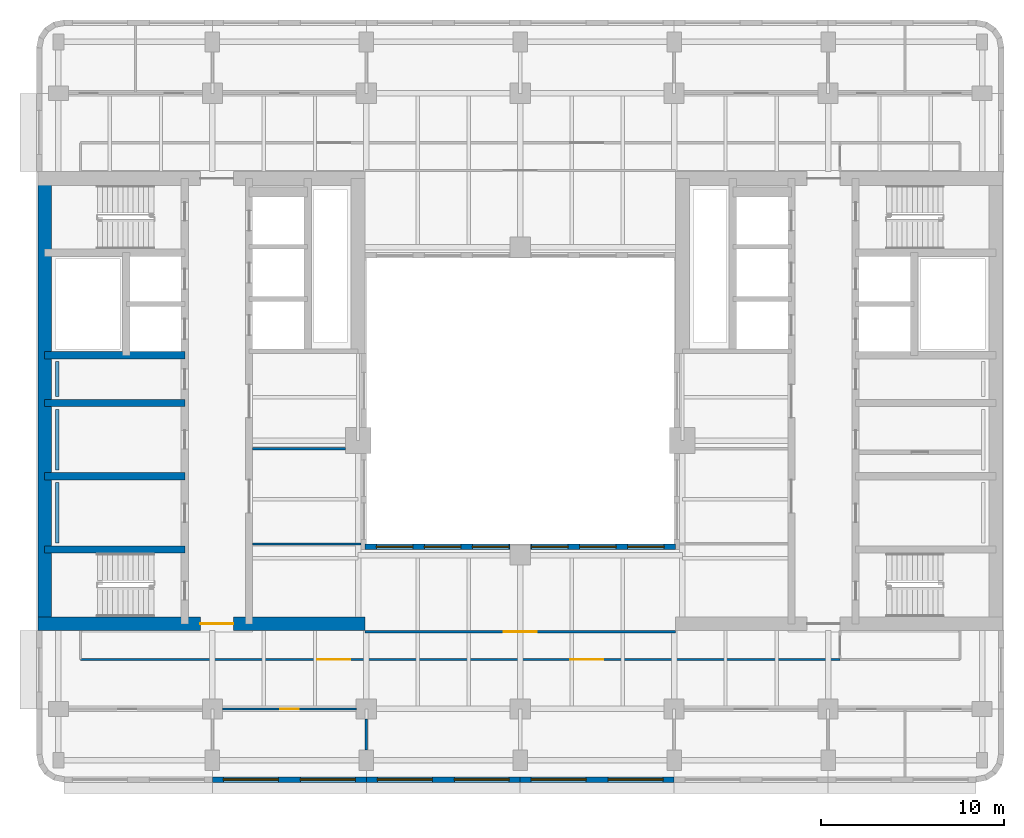
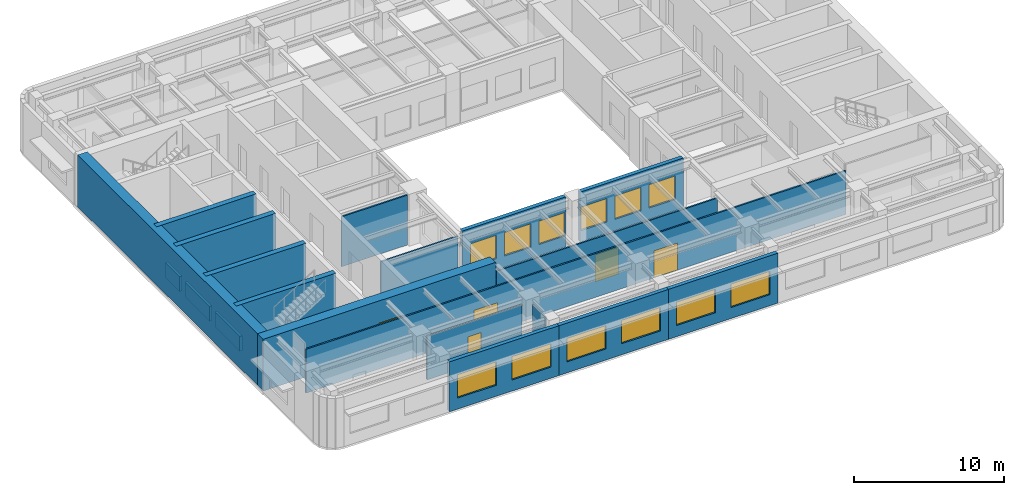
# One storey, part 3 of 11: 20 walls, 12 windows, 5 doors, 17 openings.
"""IFC4 building model written with IfcOpenShell, lengths in metres."""

import ifcopenshell
import ifcopenshell.guid

model = None  # the IFC model being written
_history = None  # IfcOwnerHistory: only IFC2X3 demands one
_inside = {}  # id of a spatial element -> (the spatial element, [elements in it])
_under = {}  # id of a project, library or spatial element -> (it, [spatial elements below it])
_declared = {}  # id of a project -> (the project, [libraries it declares])
_typed = {}  # id of a type object -> (the type object, [elements of that type])
_made_of = {}  # id of a material, layer set ... -> (it, [elements and type objects made of it])


def new_model(schema):
    """Start an empty IFC model of exactly this schema.

    Asked for "IFC4X3", IfcOpenShell would pick the latest addendum, in which some entities
    have other attributes; the version numbers below select the first issue.
    IFC2X3 requires an IfcOwnerHistory on every rooted entity: one is made here for all.
    """
    global model, _history
    if schema == "IFC4X3":
        model = ifcopenshell.file(schema_version=(4, 3, 0, 0))
    else:
        model = ifcopenshell.file(schema=schema)
    _inside.clear()
    _under.clear()
    _declared.clear()
    _typed.clear()
    _made_of.clear()
    _history = None
    if model.schema == "IFC2X3":
        org = make("IfcOrganization", Name="unknown")
        user = make(
            "IfcPersonAndOrganization",
            ThePerson=make("IfcPerson", FamilyName="unknown"),
            TheOrganization=org,
        )
        app = make(
            "IfcApplication",
            ApplicationDeveloper=org,
            Version="unknown",
            ApplicationFullName="unknown",
            ApplicationIdentifier="unknown",
        )
        _history = make(
            "IfcOwnerHistory",
            OwningUser=user,
            OwningApplication=app,
            ChangeAction="ADDED",
            CreationDate=0,
        )
    return model


def make(cls, **values):
    """One entity of the class cls with the attributes given. An attribute that is None is left unset."""
    return model.create_entity(
        cls, **{name: value for name, value in values.items() if value is not None}
    )


def rooted(cls, **values):
    """An entity with a GlobalId (a new one), such as an element, a storey or a relation."""
    return make(cls, GlobalId=ifcopenshell.guid.new(), OwnerHistory=_history, **values)


def si_unit(unit_type, name, prefix=None):
    """IfcSIUnit, for example si_unit("LENGTHUNIT", "METRE", prefix="MILLI")."""
    return make("IfcSIUnit", UnitType=unit_type, Prefix=prefix, Name=name)


def assignment(units):
    """IfcUnitAssignment: the units of a project."""
    return None if units is None else make("IfcUnitAssignment", Units=units)


def point(xyz):
    """IfcCartesianPoint."""
    return None if xyz is None else make("IfcCartesianPoint", Coordinates=xyz)


def direction(xyz):
    """IfcDirection."""
    return None if xyz is None else make("IfcDirection", DirectionRatios=xyz)


def frame(location, z_axis=None, x_axis=None):
    """IfcAxis2Placement3D, a coordinate frame: its origin and axes. An axis left out is left unset."""
    return make(
        "IfcAxis2Placement3D",
        Location=point(location),
        Axis=direction(z_axis),
        RefDirection=direction(x_axis),
    )


def frame_2d(location, x_axis=None):
    """IfcAxis2Placement2D, a coordinate frame in the plane: its origin and x axis."""
    return make(
        "IfcAxis2Placement2D", Location=point(location), RefDirection=direction(x_axis)
    )


def origin():
    """The frame at (0, 0, 0) with its axes left unset."""
    return frame((0.0, 0.0, 0.0))


def place(relative_to, where):
    """IfcLocalPlacement: puts the frame where relative to a parent placement (None: the world)."""
    return make(
        "IfcLocalPlacement", PlacementRelTo=relative_to, RelativePlacement=where
    )


def context(
    kind, dimensions, precision=None, world=None, true_north=None, identifier=None
):
    """IfcGeometricRepresentationContext, for example the 3D "Model" context."""
    return make(
        "IfcGeometricRepresentationContext",
        ContextIdentifier=identifier,
        ContextType=kind,
        CoordinateSpaceDimension=dimensions,
        Precision=precision,
        WorldCoordinateSystem=world,
        TrueNorth=true_north,
    )


def subcontext(parent, identifier, kind, view, scale=None):
    """IfcGeometricRepresentationSubContext, for example "Body" below "Model"."""
    return make(
        "IfcGeometricRepresentationSubContext",
        ContextIdentifier=identifier,
        ContextType=kind,
        ParentContext=parent,
        TargetScale=scale,
        TargetView=view,
    )


def project(units=None, contexts=None):
    """IfcProject with its units and contexts."""
    return rooted(
        "IfcProject",
        Name="project",
        RepresentationContexts=contexts,
        UnitsInContext=assignment(units),
    )


def spatial(cls, under=None, at=None, **own):
    """A site, building, storey or space (cls), placed at a placement, below another one or the project."""
    s = rooted(cls, ObjectPlacement=at, **own)
    if under is not None:
        _under.setdefault(under.id(), (under, []))[1].append(s)
    return s


def profile(cls, at=None, kind="AREA", **sizes):
    """A parametric profile (cls). Its sizes go by their IFC names, for example OverallWidth=200.0."""
    return make(cls, ProfileType=kind, Position=at, **sizes)


def rectangle(**sizes):
    """IfcRectangleProfileDef."""
    return profile("IfcRectangleProfileDef", **sizes)


def extrude(swept, where, along, depth):
    """IfcExtrudedAreaSolid: the profile swept, set in the frame where, extruded along a direction by depth."""
    return make(
        "IfcExtrudedAreaSolid",
        SweptArea=swept,
        Position=where,
        ExtrudedDirection=direction(along),
        Depth=depth,
    )


def shape(context_of_items, identifier, shape_type, items):
    """IfcShapeRepresentation: the items that make up one representation, for example the "Body"."""
    return make(
        "IfcShapeRepresentation",
        ContextOfItems=context_of_items,
        RepresentationIdentifier=identifier,
        RepresentationType=shape_type,
        Items=items,
    )


def material(Name=None, Category=None):
    """IfcMaterial."""
    return make("IfcMaterial", Name=Name, Category=Category)


def layer(
    of_material, thickness, ventilated=None, Name=None, Category=None, Priority=None
):
    """IfcMaterialLayer: one layer of a wall or slab, of a material (None: an air gap)."""
    return make(
        "IfcMaterialLayer",
        Material=of_material,
        LayerThickness=thickness,
        IsVentilated=ventilated,
        Name=Name,
        Category=Category,
        Priority=Priority,
    )


def layer_set(layers, Name=None):
    """IfcMaterialLayerSet."""
    return make("IfcMaterialLayerSet", MaterialLayers=layers, LayerSetName=Name)


def made_of(thing, what):
    """Note that an element or type object is made of a material, layer set ...; save() writes the relation."""
    if what is not None:
        _made_of.setdefault(what.id(), (what, []))[1].append(thing)
    return thing


def type_object(cls, material=None, **own):
    """A type object (cls), such as IfcWallType, which elements share."""
    return made_of(rooted(cls, **own), material)


def element(
    cls,
    number,
    at=None,
    inside=None,
    cuts=None,
    type_object=None,
    material=None,
    context=None,
    identifier="Body",
    shape_type=None,
    held_by="IfcProductDefinitionShape",
    body=None,
    shapes=None,
    **own,
):
    """One element of the class cls, such as IfcWall. Its Tag is "e" and its number.

    at: its placement. inside: the storey or other place that contains it. cuts: it is an
    opening in that element (IfcRelVoidsElement). A single representation is given by context,
    identifier, shape_type and body (its items); several are given by shapes. held_by: the class
    of the entity that holds the representations. save() writes the other relations.
    """
    e = rooted(cls, Tag="e%d" % number, ObjectPlacement=at, **own)
    if body is not None:
        shapes = [shape(context, identifier, shape_type, body)]
    if shapes is not None:
        e.Representation = make(held_by, Representations=shapes)
    if inside is not None:
        _inside.setdefault(inside.id(), (inside, []))[1].append(e)
    if cuts is not None:
        rooted(
            "IfcRelVoidsElement", RelatingBuildingElement=cuts, RelatedOpeningElement=e
        )
    if type_object is not None:
        _typed.setdefault(type_object.id(), (type_object, []))[1].append(e)
    return made_of(e, material)


def fill(opening, filler):
    """IfcRelFillsElement: the door or window that sits in an opening."""
    return rooted(
        "IfcRelFillsElement",
        RelatingOpeningElement=opening,
        RelatedBuildingElement=filler,
    )


def aggregate(whole, parts):
    """IfcRelAggregates: a whole, such as a stair, and the parts it consists of."""
    return rooted("IfcRelAggregates", RelatingObject=whole, RelatedObjects=parts)


def save(model, path):
    """Write the relations noted so far, then the file.

    IfcRelAggregates (storeys below a building ...), IfcRelContainedInSpatialStructure (elements
    in a storey), IfcRelDefinesByType, IfcRelAssociatesMaterial and IfcRelDeclares: one each for
    every whole, place, type object, material and project.
    """
    for whole, parts in _under.values():
        aggregate(whole, parts)
    for where, things in _inside.values():
        rooted(
            "IfcRelContainedInSpatialStructure",
            RelatedElements=things,
            RelatingStructure=where,
        )
    for kind, things in _typed.values():
        rooted("IfcRelDefinesByType", RelatedObjects=things, RelatingType=kind)
    for what, things in _made_of.values():
        rooted("IfcRelAssociatesMaterial", RelatedObjects=things, RelatingMaterial=what)
    for by, libraries in _declared.values():
        rooted("IfcRelDeclares", RelatingContext=by, RelatedDefinitions=libraries)
    model.write(path)


model = new_model("IFC4")

# Units and contexts
model_context = context("Model", 3, precision=1e-05, world=origin(), true_north=direction((0.0, 1.0)))
body_context = subcontext(model_context, "Body", "Model", "MODEL_VIEW")
ifc_project = project(units=[si_unit("LENGTHUNIT", "METRE"), si_unit("AREAUNIT", "SQUARE_METRE"), si_unit("VOLUMEUNIT", "CUBIC_METRE"), si_unit("PLANEANGLEUNIT", "RADIAN"), si_unit("MASSUNIT", "GRAM", prefix="KILO")], contexts=[model_context])

# Site, building, storey
site_placement = place(None, origin())
site = spatial("IfcSite", under=ifc_project, at=site_placement, CompositionType="ELEMENT")
building_placement = place(site_placement, origin())
building = spatial("IfcBuilding", under=site, at=building_placement, Name="Claustro Exchange Tower", CompositionType="ELEMENT")
storey_placement = place(building_placement, frame((0.0, 0.0, 186.0)))
storey = spatial("IfcBuildingStorey", under=building, at=storey_placement, Name="L42", CompositionType="ELEMENT", Elevation=186.0)

# Walls
ifc_material_1 = material(Name="Laminated glass in aluminium frame", Category="aluminium")
ifc_layer_1 = layer(ifc_material_1, 0.1201171875)
ifc_layer_set_1 = layer_set([ifc_layer_1], Name="Laminated glass in aluminium frame")
wall_type_1 = type_object("IfcWallType", Name="P2 120 glazed partition", PredefinedType="PARTITIONING", material=ifc_layer_set_1)
wall_1_placement = place(storey_placement, frame((10.597900390625, 17.39990234375, 0.0), z_axis=(0.0, 0.0, 1.0), x_axis=(1.0, 0.0, 0.0)))
element("IfcWall", 1, at=wall_1_placement, inside=storey, type_object=wall_type_1, Name="Partition P2 L42", PredefinedType="PARTITIONING", context=body_context, shape_type="SweptSolid", body=[
    extrude(rectangle(XDim=5.904052734375, YDim=0.1201171875, at=frame_2d((2.9521484375, 0.0))), origin(), (0.0, 0.0, 1.0), 3.550048828125),
])
wall_2_placement = place(storey_placement, frame((10.597900390625, 22.60009765625, 0.0), z_axis=(0.0, 0.0, 1.0), x_axis=(1.0, 0.0, 0.0)))
element("IfcWall", 2, at=wall_2_placement, inside=storey, type_object=wall_type_1, Name="Partition P2 L42", PredefinedType="PARTITIONING", context=body_context, shape_type="SweptSolid", body=[
    extrude(rectangle(XDim=5.052978515625, YDim=0.1201171875, at=frame_2d((2.5263671875, 0.0))), origin(), (0.0, 0.0, 1.0), 4.050048828125),
])

# Wall, opening, door
wall_3_placement = place(storey_placement, frame((8.948974609375, 8.39990234375, 0.0), z_axis=(0.0, 0.0, 1.0), x_axis=(1.0, 0.0, 0.0)))
wall_3 = element("IfcWall", 3, at=wall_3_placement, inside=storey, type_object=wall_type_1, Name="Partition P2 L42", PredefinedType="PARTITIONING", context=body_context, shape_type="SweptSolid", body=[
    extrude(rectangle(XDim=7.302001953125, YDim=0.1201171875, at=frame_2d((3.65087890625, 0.0))), origin(), (0.0, 0.0, 1.0), 3.550048828125),
])
opening_1_placement = place(wall_3_placement, frame((3.15087890625, 0.0, 0.0)))
opening_1 = element("IfcOpeningElement", 4, at=opening_1_placement, cuts=wall_3, Name="Opening D7", PredefinedType="OPENING", context=body_context, shape_type="SweptSolid", body=[
    extrude(rectangle(XDim=1.0, YDim=2.39990234375, at=frame_2d((0.5, 1.199951171875))), frame((0.0, 0.070068359375, 0.0), z_axis=(0.0, -1.0, 0.0), x_axis=(1.0, 0.0, 0.0)), (0.0, 0.0, 1.0), 0.14013671875),
])
ifc_material_2 = material(Name="Glass door in aluminium frame", Category="aluminium")
door_type_1 = type_object("IfcDoorType", Name="D7 1000 x 2400 glazed door", OperationType="SINGLE_SWING_LEFT", PredefinedType="DOOR", material=ifc_material_2)
door_1_placement = place(opening_1_placement, frame((1.0, 0.0, 0.0), z_axis=(0.0, 0.0, 1.0), x_axis=(-1.0, 0.0, 0.0)))
door_1 = element("IfcDoor", 5, at=door_1_placement, inside=storey, type_object=door_type_1, Name="Door D7 L42", OperationType="SINGLE_SWING_RIGHT", OverallHeight=2.39990234375, OverallWidth=1.0, PredefinedType="DOOR", context=body_context, shape_type="SweptSolid", body=[
    extrude(rectangle(XDim=1.0, YDim=2.39990234375, at=frame_2d((0.5, 1.199951171875))), frame((0.0, 0.02490234375, 0.0), z_axis=(0.0, -1.0, 0.0), x_axis=(1.0, 0.0, 0.0)), (0.0, 0.0, 1.0), 0.050048828125),
])
fill(opening_1, door_1)

# Wall
wall_4_placement = place(storey_placement, frame((16.800048828125, 6.14892578125, 0.0), z_axis=(0.0, 0.0, 1.0), x_axis=(0.0, 1.0, 0.0)))
element("IfcWall", 6, at=wall_4_placement, inside=storey, type_object=wall_type_1, Name="Partition P2 L42", PredefinedType="PARTITIONING", context=body_context, shape_type="SweptSolid", body=[
    extrude(rectangle(XDim=1.7021484375, YDim=0.1201171875, at=frame_2d((0.85107421875, 0.0))), origin(), (0.0, 0.0, 1.0), 3.68994140625),
])

# Wall, openings, doors
wall_5_placement = place(storey_placement, frame((1.199951171875, 11.10009765625, 0.0), z_axis=(0.0, 0.0, 1.0), x_axis=(1.0, 0.0, 0.0)))
wall_5 = element("IfcWall", 7, at=wall_5_placement, inside=storey, type_object=wall_type_1, Name="Partition P2 L42", PredefinedType="PARTITIONING", context=body_context, shape_type="SweptSolid", body=[
    extrude(rectangle(XDim=41.4521484375, YDim=0.1201171875, at=frame_2d((20.72607421875, 0.0))), origin(), (0.0, 0.0, 1.0), 3.550048828125),
])
opening_2_placement = place(wall_5_placement, frame((12.916748046875, 0.0, 0.0)))
opening_2 = element("IfcOpeningElement", 8, at=opening_2_placement, cuts=wall_5, Name="Opening D2", PredefinedType="OPENING", context=body_context, shape_type="SweptSolid", body=[
    extrude(rectangle(XDim=1.800048828125, YDim=2.199951171875, at=frame_2d((0.89990234375, 1.10009765625))), frame((0.0, 0.070068359375, 0.0), z_axis=(0.0, -1.0, 0.0), x_axis=(1.0, 0.0, 0.0)), (0.0, 0.0, 1.0), 0.14013671875),
])
opening_3_placement = place(wall_5_placement, frame((26.7333984375, 0.0, 0.0)))
opening_3 = element("IfcOpeningElement", 9, at=opening_3_placement, cuts=wall_5, Name="Opening D2", PredefinedType="OPENING", context=body_context, shape_type="SweptSolid", body=[
    extrude(rectangle(XDim=1.800048828125, YDim=2.199951171875, at=frame_2d((0.89990234375, 1.10009765625))), frame((0.0, 0.070068359375, 0.0), z_axis=(0.0, -1.0, 0.0), x_axis=(1.0, 0.0, 0.0)), (0.0, 0.0, 1.0), 0.14013671875),
])
ifc_material_3 = material(Name="Timber door, oak veneer", Category="wood")
door_type_2 = type_object("IfcDoorType", Name="D2 1800 x 2200 double door", OperationType="DOUBLE_DOOR_SINGLE_SWING", PredefinedType="DOOR", material=ifc_material_3)
door_2_placement = place(opening_2_placement, frame((1.800048828125, 0.0, 0.0), z_axis=(0.0, 0.0, 1.0), x_axis=(-1.0, 0.0, 0.0)))
door_2 = element("IfcDoor", 10, at=door_2_placement, inside=storey, type_object=door_type_2, Name="Double door D2 L42", OperationType="DOUBLE_DOOR_SINGLE_SWING", OverallHeight=2.199951171875, OverallWidth=1.800048828125, PredefinedType="DOOR", context=body_context, shape_type="SweptSolid", body=[
    extrude(rectangle(XDim=1.800048828125, YDim=2.199951171875, at=frame_2d((0.89990234375, 1.10009765625))), frame((0.0, 0.02490234375, 0.0), z_axis=(0.0, -1.0, 0.0), x_axis=(1.0, 0.0, 0.0)), (0.0, 0.0, 1.0), 0.050048828125),
])
fill(opening_2, door_2)
door_3_placement = place(opening_3_placement, frame((1.800048828125, 0.0, 0.0), z_axis=(0.0, 0.0, 1.0), x_axis=(-1.0, 0.0, 0.0)))
door_3 = element("IfcDoor", 11, at=door_3_placement, inside=storey, type_object=door_type_2, Name="Double door D2 L42", OperationType="DOUBLE_DOOR_SINGLE_SWING", OverallHeight=2.199951171875, OverallWidth=1.800048828125, PredefinedType="DOOR", context=body_context, shape_type="SweptSolid", body=[
    extrude(rectangle(XDim=1.800048828125, YDim=2.199951171875, at=frame_2d((0.89990234375, 1.10009765625))), frame((0.0, 0.02490234375, 0.0), z_axis=(0.0, -1.0, 0.0), x_axis=(1.0, 0.0, 0.0)), (0.0, 0.0, 1.0), 0.050048828125),
])
fill(opening_3, door_3)

# Wall, opening, door
wall_6_placement = place(storey_placement, frame((16.72509765625, 12.614990234375, 0.0), z_axis=(0.0, 0.0, 1.0), x_axis=(1.0, 0.0, 0.0)))
wall_6 = element("IfcWall", 12, at=wall_6_placement, inside=storey, type_object=wall_type_1, Name="Partition P2 L42", PredefinedType="PARTITIONING", context=body_context, shape_type="SweptSolid", body=[
    extrude(rectangle(XDim=16.949951171875, YDim=0.1201171875, at=frame_2d((8.47509765625, 0.0))), origin(), (0.0, 0.0, 1.0), 3.550048828125),
])
opening_4_placement = place(wall_6_placement, frame((7.574951171875, 0.0, 0.0)))
opening_4 = element("IfcOpeningElement", 13, at=opening_4_placement, cuts=wall_6, Name="Opening D2", PredefinedType="OPENING", context=body_context, shape_type="SweptSolid", body=[
    extrude(rectangle(XDim=1.800048828125, YDim=2.199951171875, at=frame_2d((0.89990234375, 1.10009765625))), frame((0.0, 0.070068359375, 0.0), z_axis=(0.0, -1.0, 0.0), x_axis=(1.0, 0.0, 0.0)), (0.0, 0.0, 1.0), 0.14013671875),
])
door_4_placement = place(opening_4_placement, frame((1.800048828125, 0.0, 0.0), z_axis=(0.0, 0.0, 1.0), x_axis=(-1.0, 0.0, 0.0)))
door_4 = element("IfcDoor", 14, at=door_4_placement, inside=storey, type_object=door_type_2, Name="Double door D2 L42", OperationType="DOUBLE_DOOR_SINGLE_SWING", OverallHeight=2.199951171875, OverallWidth=1.800048828125, PredefinedType="DOOR", context=body_context, shape_type="SweptSolid", body=[
    extrude(rectangle(XDim=1.800048828125, YDim=2.199951171875, at=frame_2d((0.89990234375, 1.10009765625))), frame((0.0, 0.02490234375, 0.0), z_axis=(0.0, -1.0, 0.0), x_axis=(1.0, 0.0, 0.0)), (0.0, 0.0, 1.0), 0.050048828125),
])
fill(opening_4, door_4)

# Wall, openings, windows
ifc_material_4 = material(Name="Concrete HA-40 (C40/50), precast, white cement, acid-etched", Category="concrete")
ifc_layer_2 = layer(ifc_material_4, 0.300048828125)
ifc_layer_set_2 = layer_set([ifc_layer_2], Name="Concrete HA-40 (C40/50), precast, white cement, acid-etched")
wall_type_2 = type_object("IfcWallType", Name="PC1 300 precast concrete pier panel", PredefinedType="SOLIDWALL", material=ifc_layer_set_2)
wall_7_placement = place(storey_placement, frame((33.60009765625, 4.550048828125, 0.0), z_axis=(0.0, 0.0, 1.0), x_axis=(-1.0, 0.0, 0.0)))
wall_7 = element("IfcWall", 15, at=wall_7_placement, inside=storey, type_object=wall_type_2, Name="Precast pier panel PC1 L42", PredefinedType="SOLIDWALL", context=body_context, shape_type="SweptSolid", body=[
    extrude(rectangle(XDim=8.400146484375, YDim=0.300048828125, at=frame_2d((4.2001953125, 0.0))), origin(), (0.0, 0.0, 1.0), 4.050048828125),
])
opening_5_placement = place(wall_7_placement, frame((0.60009765625, 0.0, 0.89990234375)))
opening_5 = element("IfcOpeningElement", 16, at=opening_5_placement, cuts=wall_7, Name="Opening W1", PredefinedType="OPENING", context=body_context, shape_type="SweptSolid", body=[
    extrude(rectangle(XDim=3.0, YDim=1.89990234375, at=frame_2d((1.5, 0.949951171875))), frame((0.0, 0.159912109375, 0.0), z_axis=(0.0, -1.0, 0.0), x_axis=(1.0, 0.0, 0.0)), (0.0, 0.0, 1.0), 0.320068359375),
])
opening_6_placement = place(wall_7_placement, frame((4.800048828125, 0.0, 0.89990234375)))
opening_6 = element("IfcOpeningElement", 17, at=opening_6_placement, cuts=wall_7, Name="Opening W1", PredefinedType="OPENING", context=body_context, shape_type="SweptSolid", body=[
    extrude(rectangle(XDim=3.0, YDim=1.89990234375, at=frame_2d((1.5, 0.949951171875))), frame((0.0, 0.159912109375, 0.0), z_axis=(0.0, -1.0, 0.0), x_axis=(1.0, 0.0, 0.0)), (0.0, 0.0, 1.0), 0.320068359375),
])
ifc_material_5 = material(Name="Aluminium frame, clear double glazing", Category="aluminium")
window_type_1 = type_object("IfcWindowType", Name="W1 3000 x 1900 window", PartitioningType="SINGLE_PANEL", PredefinedType="WINDOW", material=ifc_material_5)
window_1_placement = place(opening_5_placement, origin())
window_1 = element("IfcWindow", 18, at=window_1_placement, inside=storey, type_object=window_type_1, Name="Window W1 L42", OverallHeight=1.89990234375, OverallWidth=3.0, PartitioningType="SINGLE_PANEL", PredefinedType="WINDOW", context=body_context, shape_type="SweptSolid", body=[
    extrude(rectangle(XDim=3.0, YDim=1.89990234375, at=frame_2d((1.5, 0.949951171875))), frame((0.0, 0.030029296875, 0.0), z_axis=(0.0, -1.0, 0.0), x_axis=(1.0, 0.0, 0.0)), (0.0, 0.0, 1.0), 0.06005859375),
])
fill(opening_5, window_1)
window_2_placement = place(opening_6_placement, origin())
window_2 = element("IfcWindow", 19, at=window_2_placement, inside=storey, type_object=window_type_1, Name="Window W1 L42", OverallHeight=1.89990234375, OverallWidth=3.0, PartitioningType="SINGLE_PANEL", PredefinedType="WINDOW", context=body_context, shape_type="SweptSolid", body=[
    extrude(rectangle(XDim=3.0, YDim=1.89990234375, at=frame_2d((1.5, 0.949951171875))), frame((0.0, 0.030029296875, 0.0), z_axis=(0.0, -1.0, 0.0), x_axis=(1.0, 0.0, 0.0)), (0.0, 0.0, 1.0), 0.06005859375),
])
fill(opening_6, window_2)

wall_8_placement = place(storey_placement, frame((25.199951171875, 4.550048828125, 0.0), z_axis=(0.0, 0.0, 1.0), x_axis=(-1.0, 0.0, 0.0)))
wall_8 = element("IfcWall", 20, at=wall_8_placement, inside=storey, type_object=wall_type_2, Name="Precast pier panel PC1 L42", PredefinedType="SOLIDWALL", context=body_context, shape_type="SweptSolid", body=[
    extrude(rectangle(XDim=8.39990234375, YDim=0.300048828125, at=frame_2d((4.199951171875, 0.0))), origin(), (0.0, 0.0, 1.0), 4.050048828125),
])
opening_7_placement = place(wall_8_placement, frame((0.60009765625, 0.0, 0.89990234375)))
opening_7 = element("IfcOpeningElement", 21, at=opening_7_placement, cuts=wall_8, Name="Opening W1", PredefinedType="OPENING", context=body_context, shape_type="SweptSolid", body=[
    extrude(rectangle(XDim=3.0, YDim=1.89990234375, at=frame_2d((1.5, 0.949951171875))), frame((0.0, 0.159912109375, 0.0), z_axis=(0.0, -1.0, 0.0), x_axis=(1.0, 0.0, 0.0)), (0.0, 0.0, 1.0), 0.320068359375),
])
opening_8_placement = place(wall_8_placement, frame((4.800048828125, 0.0, 0.89990234375)))
opening_8 = element("IfcOpeningElement", 22, at=opening_8_placement, cuts=wall_8, Name="Opening W1", PredefinedType="OPENING", context=body_context, shape_type="SweptSolid", body=[
    extrude(rectangle(XDim=3.0, YDim=1.89990234375, at=frame_2d((1.5, 0.949951171875))), frame((0.0, 0.159912109375, 0.0), z_axis=(0.0, -1.0, 0.0), x_axis=(1.0, 0.0, 0.0)), (0.0, 0.0, 1.0), 0.320068359375),
])
window_3_placement = place(opening_7_placement, origin())
window_3 = element("IfcWindow", 23, at=window_3_placement, inside=storey, type_object=window_type_1, Name="Window W1 L42", OverallHeight=1.89990234375, OverallWidth=3.0, PartitioningType="SINGLE_PANEL", PredefinedType="WINDOW", context=body_context, shape_type="SweptSolid", body=[
    extrude(rectangle(XDim=3.0, YDim=1.89990234375, at=frame_2d((1.5, 0.949951171875))), frame((0.0, 0.030029296875, 0.0), z_axis=(0.0, -1.0, 0.0), x_axis=(1.0, 0.0, 0.0)), (0.0, 0.0, 1.0), 0.06005859375),
])
fill(opening_7, window_3)
window_4_placement = place(opening_8_placement, origin())
window_4 = element("IfcWindow", 24, at=window_4_placement, inside=storey, type_object=window_type_1, Name="Window W1 L42", OverallHeight=1.89990234375, OverallWidth=3.0, PartitioningType="SINGLE_PANEL", PredefinedType="WINDOW", context=body_context, shape_type="SweptSolid", body=[
    extrude(rectangle(XDim=3.0, YDim=1.89990234375, at=frame_2d((1.5, 0.949951171875))), frame((0.0, 0.030029296875, 0.0), z_axis=(0.0, -1.0, 0.0), x_axis=(1.0, 0.0, 0.0)), (0.0, 0.0, 1.0), 0.06005859375),
])
fill(opening_8, window_4)

wall_9_placement = place(storey_placement, frame((16.800048828125, 4.550048828125, 0.0), z_axis=(0.0, 0.0, 1.0), x_axis=(-1.0, 0.0, 0.0)))
wall_9 = element("IfcWall", 25, at=wall_9_placement, inside=storey, type_object=wall_type_2, Name="Precast pier panel PC1 L42", PredefinedType="SOLIDWALL", context=body_context, shape_type="SweptSolid", body=[
    extrude(rectangle(XDim=8.400146484375, YDim=0.300048828125, at=frame_2d((4.2001953125, 0.0))), origin(), (0.0, 0.0, 1.0), 4.050048828125),
])
opening_9_placement = place(wall_9_placement, frame((0.60009765625, 0.0, 0.89990234375)))
opening_9 = element("IfcOpeningElement", 26, at=opening_9_placement, cuts=wall_9, Name="Opening W1", PredefinedType="OPENING", context=body_context, shape_type="SweptSolid", body=[
    extrude(rectangle(XDim=3.0, YDim=1.89990234375, at=frame_2d((1.5, 0.949951171875))), frame((0.0, 0.159912109375, 0.0), z_axis=(0.0, -1.0, 0.0), x_axis=(1.0, 0.0, 0.0)), (0.0, 0.0, 1.0), 0.320068359375),
])
opening_10_placement = place(wall_9_placement, frame((4.800048828125, 0.0, 0.89990234375)))
opening_10 = element("IfcOpeningElement", 27, at=opening_10_placement, cuts=wall_9, Name="Opening W1", PredefinedType="OPENING", context=body_context, shape_type="SweptSolid", body=[
    extrude(rectangle(XDim=3.0, YDim=1.89990234375, at=frame_2d((1.5, 0.949951171875))), frame((0.0, 0.159912109375, 0.0), z_axis=(0.0, -1.0, 0.0), x_axis=(1.0, 0.0, 0.0)), (0.0, 0.0, 1.0), 0.320068359375),
])
window_5_placement = place(opening_9_placement, origin())
window_5 = element("IfcWindow", 28, at=window_5_placement, inside=storey, type_object=window_type_1, Name="Window W1 L42", OverallHeight=1.89990234375, OverallWidth=3.0, PartitioningType="SINGLE_PANEL", PredefinedType="WINDOW", context=body_context, shape_type="SweptSolid", body=[
    extrude(rectangle(XDim=3.0, YDim=1.89990234375, at=frame_2d((1.5, 0.949951171875))), frame((0.0, 0.030029296875, 0.0), z_axis=(0.0, -1.0, 0.0), x_axis=(1.0, 0.0, 0.0)), (0.0, 0.0, 1.0), 0.06005859375),
])
fill(opening_9, window_5)
window_6_placement = place(opening_10_placement, origin())
window_6 = element("IfcWindow", 29, at=window_6_placement, inside=storey, type_object=window_type_1, Name="Window W1 L42", OverallHeight=1.89990234375, OverallWidth=3.0, PartitioningType="SINGLE_PANEL", PredefinedType="WINDOW", context=body_context, shape_type="SweptSolid", body=[
    extrude(rectangle(XDim=3.0, YDim=1.89990234375, at=frame_2d((1.5, 0.949951171875))), frame((0.0, 0.030029296875, 0.0), z_axis=(0.0, -1.0, 0.0), x_axis=(1.0, 0.0, 0.0)), (0.0, 0.0, 1.0), 0.06005859375),
])
fill(opening_10, window_6)

wall_10_placement = place(storey_placement, frame((16.72509765625, 17.25, 0.0), z_axis=(0.0, 0.0, 1.0), x_axis=(1.0, 0.0, 0.0)))
wall_10 = element("IfcWall", 30, at=wall_10_placement, inside=storey, type_object=wall_type_2, Name="Precast pier panel PC1 L42", PredefinedType="SOLIDWALL", context=body_context, shape_type="SweptSolid", body=[
    extrude(rectangle(XDim=7.9248046875, YDim=0.300048828125, at=frame_2d((3.96240234375, 0.0))), origin(), (0.0, 0.0, 1.0), 4.050048828125),
])
opening_11_placement = place(wall_10_placement, frame((0.61865234375, 0.0, 0.89990234375)))
opening_11 = element("IfcOpeningElement", 31, at=opening_11_placement, cuts=wall_10, Name="Opening W4", PredefinedType="OPENING", context=body_context, shape_type="SweptSolid", body=[
    extrude(rectangle(XDim=2.0, YDim=1.89990234375, at=frame_2d((1.0, 0.949951171875))), frame((0.0, 0.159912109375, 0.0), z_axis=(0.0, -1.0, 0.0), x_axis=(1.0, 0.0, 0.0)), (0.0, 0.0, 1.0), 0.320068359375),
])
opening_12_placement = place(wall_10_placement, frame((3.237548828125, 0.0, 0.89990234375)))
opening_12 = element("IfcOpeningElement", 32, at=opening_12_placement, cuts=wall_10, Name="Opening W4", PredefinedType="OPENING", context=body_context, shape_type="SweptSolid", body=[
    extrude(rectangle(XDim=2.0, YDim=1.89990234375, at=frame_2d((1.0, 0.949951171875))), frame((0.0, 0.159912109375, 0.0), z_axis=(0.0, -1.0, 0.0), x_axis=(1.0, 0.0, 0.0)), (0.0, 0.0, 1.0), 0.320068359375),
])
opening_13_placement = place(wall_10_placement, frame((5.856201171875, 0.0, 0.89990234375)))
opening_13 = element("IfcOpeningElement", 33, at=opening_13_placement, cuts=wall_10, Name="Opening W4", PredefinedType="OPENING", context=body_context, shape_type="SweptSolid", body=[
    extrude(rectangle(XDim=2.0, YDim=1.89990234375, at=frame_2d((1.0, 0.949951171875))), frame((0.0, 0.159912109375, 0.0), z_axis=(0.0, -1.0, 0.0), x_axis=(1.0, 0.0, 0.0)), (0.0, 0.0, 1.0), 0.320068359375),
])
ifc_material_6 = material(Name="Aluminium frame, clear double glazing", Category="aluminium")
window_type_2 = type_object("IfcWindowType", Name="W4 2000 x 1900 light well window", PartitioningType="SINGLE_PANEL", PredefinedType="WINDOW", material=ifc_material_6)
window_7_placement = place(opening_11_placement, origin())
window_7 = element("IfcWindow", 34, at=window_7_placement, inside=storey, type_object=window_type_2, Name="Window W4 L42", OverallHeight=1.89990234375, OverallWidth=2.0, PartitioningType="SINGLE_PANEL", PredefinedType="WINDOW", context=body_context, shape_type="SweptSolid", body=[
    extrude(rectangle(XDim=2.0, YDim=1.89990234375, at=frame_2d((1.0, 0.949951171875))), frame((0.0, 0.030029296875, 0.0), z_axis=(0.0, -1.0, 0.0), x_axis=(1.0, 0.0, 0.0)), (0.0, 0.0, 1.0), 0.06005859375),
])
fill(opening_11, window_7)
window_8_placement = place(opening_12_placement, origin())
window_8 = element("IfcWindow", 35, at=window_8_placement, inside=storey, type_object=window_type_2, Name="Window W4 L42", OverallHeight=1.89990234375, OverallWidth=2.0, PartitioningType="SINGLE_PANEL", PredefinedType="WINDOW", context=body_context, shape_type="SweptSolid", body=[
    extrude(rectangle(XDim=2.0, YDim=1.89990234375, at=frame_2d((1.0, 0.949951171875))), frame((0.0, 0.030029296875, 0.0), z_axis=(0.0, -1.0, 0.0), x_axis=(1.0, 0.0, 0.0)), (0.0, 0.0, 1.0), 0.06005859375),
])
fill(opening_12, window_8)
window_9_placement = place(opening_13_placement, origin())
window_9 = element("IfcWindow", 36, at=window_9_placement, inside=storey, type_object=window_type_2, Name="Window W4 L42", OverallHeight=1.89990234375, OverallWidth=2.0, PartitioningType="SINGLE_PANEL", PredefinedType="WINDOW", context=body_context, shape_type="SweptSolid", body=[
    extrude(rectangle(XDim=2.0, YDim=1.89990234375, at=frame_2d((1.0, 0.949951171875))), frame((0.0, 0.030029296875, 0.0), z_axis=(0.0, -1.0, 0.0), x_axis=(1.0, 0.0, 0.0)), (0.0, 0.0, 1.0), 0.06005859375),
])
fill(opening_13, window_9)

wall_11_placement = place(storey_placement, frame((25.75, 17.25, 0.0), z_axis=(0.0, 0.0, 1.0), x_axis=(1.0, 0.0, 0.0)))
wall_11 = element("IfcWall", 37, at=wall_11_placement, inside=storey, type_object=wall_type_2, Name="Precast pier panel PC1 L42", PredefinedType="SOLIDWALL", context=body_context, shape_type="SweptSolid", body=[
    extrude(rectangle(XDim=7.925048828125, YDim=0.300048828125, at=frame_2d((3.96240234375, 0.0))), origin(), (0.0, 0.0, 1.0), 4.050048828125),
])
opening_14_placement = place(wall_11_placement, frame((0.068603515625, 0.0, 0.89990234375)))
opening_14 = element("IfcOpeningElement", 38, at=opening_14_placement, cuts=wall_11, Name="Opening W4", PredefinedType="OPENING", context=body_context, shape_type="SweptSolid", body=[
    extrude(rectangle(XDim=2.0, YDim=1.89990234375, at=frame_2d((1.0, 0.949951171875))), frame((0.0, 0.159912109375, 0.0), z_axis=(0.0, -1.0, 0.0), x_axis=(1.0, 0.0, 0.0)), (0.0, 0.0, 1.0), 0.320068359375),
])
opening_15_placement = place(wall_11_placement, frame((2.6875, 0.0, 0.89990234375)))
opening_15 = element("IfcOpeningElement", 39, at=opening_15_placement, cuts=wall_11, Name="Opening W4", PredefinedType="OPENING", context=body_context, shape_type="SweptSolid", body=[
    extrude(rectangle(XDim=2.0, YDim=1.89990234375, at=frame_2d((1.0, 0.949951171875))), frame((0.0, 0.159912109375, 0.0), z_axis=(0.0, -1.0, 0.0), x_axis=(1.0, 0.0, 0.0)), (0.0, 0.0, 1.0), 0.320068359375),
])
opening_16_placement = place(wall_11_placement, frame((5.30615234375, 0.0, 0.89990234375)))
opening_16 = element("IfcOpeningElement", 40, at=opening_16_placement, cuts=wall_11, Name="Opening W4", PredefinedType="OPENING", context=body_context, shape_type="SweptSolid", body=[
    extrude(rectangle(XDim=2.0, YDim=1.89990234375, at=frame_2d((1.0, 0.949951171875))), frame((0.0, 0.159912109375, 0.0), z_axis=(0.0, -1.0, 0.0), x_axis=(1.0, 0.0, 0.0)), (0.0, 0.0, 1.0), 0.320068359375),
])
window_10_placement = place(opening_14_placement, origin())
window_10 = element("IfcWindow", 41, at=window_10_placement, inside=storey, type_object=window_type_2, Name="Window W4 L42", OverallHeight=1.89990234375, OverallWidth=2.0, PartitioningType="SINGLE_PANEL", PredefinedType="WINDOW", context=body_context, shape_type="SweptSolid", body=[
    extrude(rectangle(XDim=2.0, YDim=1.89990234375, at=frame_2d((1.0, 0.949951171875))), frame((0.0, 0.030029296875, 0.0), z_axis=(0.0, -1.0, 0.0), x_axis=(1.0, 0.0, 0.0)), (0.0, 0.0, 1.0), 0.06005859375),
])
fill(opening_14, window_10)
window_11_placement = place(opening_15_placement, origin())
window_11 = element("IfcWindow", 42, at=window_11_placement, inside=storey, type_object=window_type_2, Name="Window W4 L42", OverallHeight=1.89990234375, OverallWidth=2.0, PartitioningType="SINGLE_PANEL", PredefinedType="WINDOW", context=body_context, shape_type="SweptSolid", body=[
    extrude(rectangle(XDim=2.0, YDim=1.89990234375, at=frame_2d((1.0, 0.949951171875))), frame((0.0, 0.030029296875, 0.0), z_axis=(0.0, -1.0, 0.0), x_axis=(1.0, 0.0, 0.0)), (0.0, 0.0, 1.0), 0.06005859375),
])
fill(opening_15, window_11)
window_12_placement = place(opening_16_placement, origin())
window_12 = element("IfcWindow", 43, at=window_12_placement, inside=storey, type_object=window_type_2, Name="Window W4 L42", OverallHeight=1.89990234375, OverallWidth=2.0, PartitioningType="SINGLE_PANEL", PredefinedType="WINDOW", context=body_context, shape_type="SweptSolid", body=[
    extrude(rectangle(XDim=2.0, YDim=1.89990234375, at=frame_2d((1.0, 0.949951171875))), frame((0.0, 0.030029296875, 0.0), z_axis=(0.0, -1.0, 0.0), x_axis=(1.0, 0.0, 0.0)), (0.0, 0.0, 1.0), 0.06005859375),
])
fill(opening_16, window_12)

# Walls
ifc_material_7 = material(Name="Gypsum board on steel studs, tiled", Category="steel")
ifc_layer_3 = layer(ifc_material_7, 0.199951171875)
ifc_layer_set_3 = layer_set([ifc_layer_3], Name="Gypsum board on steel studs, tiled")
wall_type_3 = type_object("IfcWallType", Name="PW1 200 WC duct wall", PredefinedType="PLUMBINGWALL", material=ifc_layer_set_3)
for number, where, z_axis, x_axis, name in (
    (44, (-0.074951171875, 17.449951171875, 0.0), (0.0, 0.0, 1.0), (0.0, 1.0, 0.0), "WC duct wall PW1 L42"),
    (45, (-0.074951171875, 21.449951171875, 0.0), (0.0, 0.0, 1.0), (0.0, 1.0, 0.0), "WC duct wall PW1 L42"),
):
    element("IfcWall", number, at=place(storey_placement, frame(where, z_axis=z_axis, x_axis=x_axis)), inside=storey, type_object=wall_type_3, Name=name, PredefinedType="PLUMBINGWALL", context=body_context, shape_type="SweptSolid", body=[
        extrude(rectangle(XDim=3.300048828125, YDim=0.199951171875, at=frame_2d((1.64990234375, 0.0))), origin(), (0.0, 0.0, 1.0), 1.199951171875),
    ])
wall_12_placement = place(storey_placement, frame((-0.074951171875, 25.449951171875, 0.0), z_axis=(0.0, 0.0, 1.0), x_axis=(0.0, 1.0, 0.0)))
element("IfcWall", 46, at=wall_12_placement, inside=storey, type_object=wall_type_3, Name="WC duct wall PW1 L42", PredefinedType="PLUMBINGWALL", context=body_context, shape_type="SweptSolid", body=[
    extrude(rectangle(XDim=1.900146484375, YDim=0.199951171875, at=frame_2d((0.9501953125, 0.0))), origin(), (0.0, 0.0, 1.0), 1.199951171875),
])

# Wall, opening, door
ifc_material_8 = material(Name="Concrete HA-70 (C70/85)", Category="concrete")
ifc_layer_4 = layer(ifc_material_8, 0.75)
ifc_layer_set_4 = layer_set([ifc_layer_4], Name="Concrete HA-70 (C70/85)")
wall_type_4 = type_object("IfcWallType", Name="SW2 750 core shear wall", PredefinedType="SHEAR", material=ifc_layer_set_4)
wall_13_placement = place(storey_placement, frame((-1.125, 13.050048828125, 0.0), z_axis=(0.0, 0.0, 1.0), x_axis=(1.0, 0.0, 0.0)))
wall_13 = element("IfcWall", 47, at=wall_13_placement, inside=storey, type_object=wall_type_4, Name="Core wall SW2 W core S face L42", PredefinedType="SHEAR", context=body_context, shape_type="SweptSolid", body=[
    extrude(rectangle(XDim=17.85009765625, YDim=0.75, at=frame_2d((8.925048828125, 0.0))), origin(), (0.0, 0.0, 1.0), 4.199951171875),
])
opening_17_placement = place(wall_13_placement, frame((8.875, 0.0, 0.0)))
opening_17 = element("IfcOpeningElement", 48, at=opening_17_placement, cuts=wall_13, Name="Opening D3", PredefinedType="OPENING", context=body_context, shape_type="SweptSolid", body=[
    extrude(rectangle(XDim=1.800048828125, YDim=2.39990234375, at=frame_2d((0.89990234375, 1.199951171875))), frame((0.0, 0.385009765625, 0.0), z_axis=(0.0, -1.0, 0.0), x_axis=(1.0, 0.0, 0.0)), (0.0, 0.0, 1.0), 0.77001953125),
])
ifc_material_9 = material(Name="Steel fire door, painted", Category="steel")
door_type_3 = type_object("IfcDoorType", Name="D3 1800 x 2400 fire-rated lobby double door", OperationType="DOUBLE_DOOR_SINGLE_SWING", PredefinedType="DOOR", material=ifc_material_9)
door_5_placement = place(opening_17_placement, origin())
door_5 = element("IfcDoor", 49, at=door_5_placement, inside=storey, type_object=door_type_3, Name="Lift lobby door D3 L42", OperationType="DOUBLE_DOOR_SINGLE_SWING", OverallHeight=2.39990234375, OverallWidth=1.800048828125, PredefinedType="DOOR", context=body_context, shape_type="SweptSolid", body=[
    extrude(rectangle(XDim=1.800048828125, YDim=2.39990234375, at=frame_2d((0.89990234375, 1.199951171875))), frame((0.0, 0.02490234375, 0.0), z_axis=(0.0, -1.0, 0.0), x_axis=(1.0, 0.0, 0.0)), (0.0, 0.0, 1.0), 0.050048828125),
])
fill(opening_17, door_5)

# Walls
ifc_material_10 = material(Name="Concrete HA-70 (C70/85)", Category="concrete")
ifc_layer_5 = layer(ifc_material_10, 0.75)
ifc_layer_set_5 = layer_set([ifc_layer_5], Name="Concrete HA-70 (C70/85)")
wall_type_5 = type_object("IfcWallType", Name="SW2X 750 exposed core shear wall, board-marked face", PredefinedType="SHEAR", material=ifc_layer_set_5)
wall_14_placement = place(storey_placement, frame((-0.75, 13.050048828125, 0.0), z_axis=(0.0, 0.0, 1.0), x_axis=(0.0, 1.0, 0.0)))
element("IfcWall", 50, at=wall_14_placement, inside=storey, type_object=wall_type_5, Name="Core wall SW2X W core W face L42", PredefinedType="SHEAR", context=body_context, shape_type="SweptSolid", body=[
    extrude(rectangle(XDim=24.300048828125, YDim=0.75, at=frame_2d((12.14990234375, 0.0))), origin(), (0.0, 0.0, 1.0), 4.199951171875),
])
ifc_material_11 = material(Name="Concrete HA-50 (C50/60)", Category="concrete")
ifc_layer_6 = layer(ifc_material_11, 0.39990234375)
ifc_layer_set_6 = layer_set([ifc_layer_6], Name="Concrete HA-50 (C50/60)")
wall_type_6 = type_object("IfcWallType", Name="SW4 400 internal core wall", PredefinedType="SHEAR", material=ifc_layer_set_6)
for number, where, z_axis, x_axis, name in (
    (51, (-0.75, 17.10009765625, 0.0), (0.0, 0.0, 1.0), (1.0, 0.0, 0.0), "Internal core wall SW4 W core L42"),
    (52, (-0.75, 21.10009765625, 0.0), (0.0, 0.0, 1.0), (1.0, 0.0, 0.0), "Internal core wall SW4 W core L42"),
    (53, (-0.75, 25.10009765625, 0.0), (0.0, 0.0, 1.0), (1.0, 0.0, 0.0), "Internal core wall SW4 W core L42"),
    (54, (-0.75, 27.699951171875, 0.0), (0.0, 0.0, 1.0), (1.0, 0.0, 0.0), "Internal core wall SW4 W core L42"),
):
    element("IfcWall", number, at=place(storey_placement, frame(where, z_axis=z_axis, x_axis=x_axis)), inside=storey, type_object=wall_type_6, Name=name, PredefinedType="SHEAR", context=body_context, shape_type="SweptSolid", body=[
        extrude(rectangle(XDim=7.64990234375, YDim=0.39990234375, at=frame_2d((3.824951171875, 0.0))), origin(), (0.0, 0.0, 1.0), 4.199951171875),
    ])

save(model, "model.ifc")
